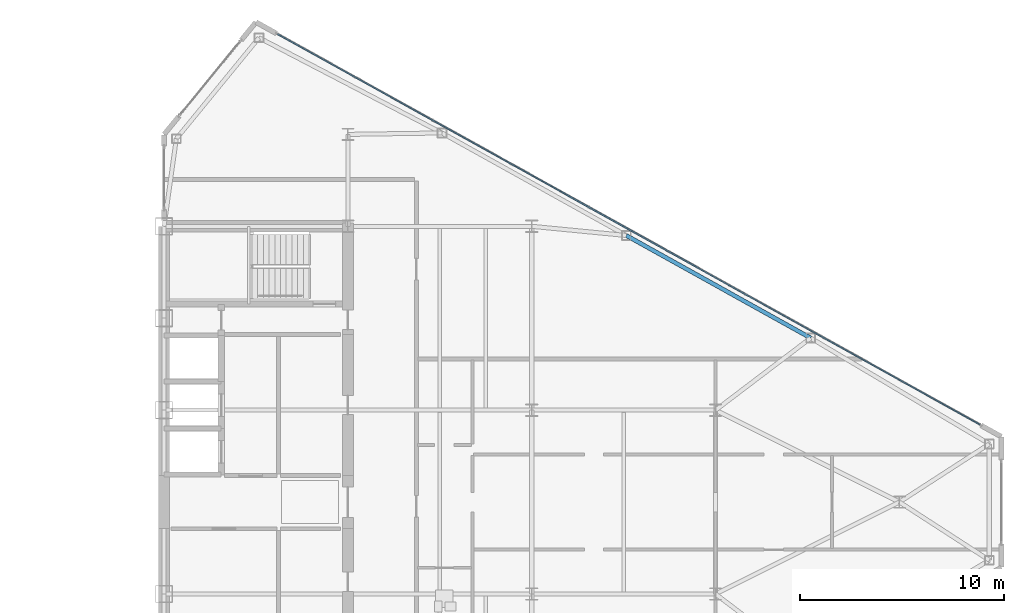
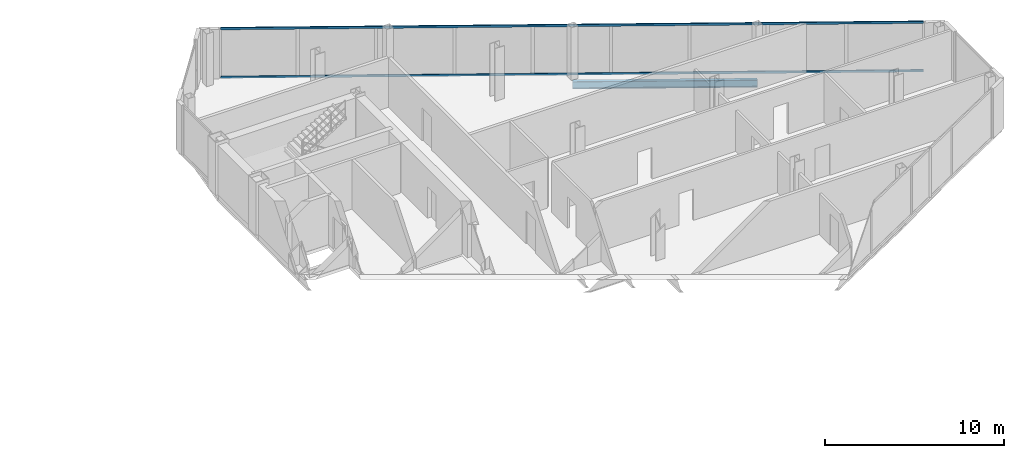
# One storey, part 16 of 26: 2 members, 1 beam, 1 element without a shape of its own.
"""IFC4 building model written with IfcOpenShell, lengths in metres."""

from ifc_helpers import new_model, si_unit, direction, frame, origin, origin_2d, place, context, subcontext, project, spatial, rectangle, i_section, extrude, source, transform, mapped, material, layer, layer_set, material_profile, profile_set, type_object, type_shapes, element, aggregate, save


model = new_model("IFC4")

# Units and contexts
model_context = context("Model", 3, precision=1e-05, world=origin(), true_north=direction((0.0, 1.0)))
body_context = subcontext(model_context, "Body", "Model", "MODEL_VIEW")
ifc_project = project(units=[si_unit("LENGTHUNIT", "METRE"), si_unit("AREAUNIT", "SQUARE_METRE"), si_unit("VOLUMEUNIT", "CUBIC_METRE"), si_unit("PLANEANGLEUNIT", "RADIAN"), si_unit("MASSUNIT", "GRAM", prefix="KILO")], contexts=[model_context])

# Site, building, storey
site_placement = place(None, origin())
site = spatial("IfcSite", under=ifc_project, at=site_placement, CompositionType="ELEMENT")
building_placement = place(site_placement, origin())
building = spatial("IfcBuilding", under=site, at=building_placement, Name="Seokmaru Belvedere", CompositionType="ELEMENT")
storey_placement = place(building_placement, frame((0.0, 0.0, 174.300048828125)))
storey = spatial("IfcBuildingStorey", under=building, at=storey_placement, Name="L46", CompositionType="ELEMENT", Elevation=174.300048828125)

# Beam
ifc_material_1 = material(Name="Steel SM355 (355 MPa)", Category="steel")
ifc_material_profile_1 = material_profile(ifc_material_1, i_section(OverallWidth=0.199951171875, OverallDepth=0.5, WebThickness=0.010009765625, FlangeThickness=0.01611328125, at=origin_2d()), Name="H-500x200x10x16")
ifc_profile_set_1 = profile_set([ifc_material_profile_1], Name="Steel SM355 (355 MPa)")
beam_type = type_object("IfcBeamType", Name="Perimeter Spandrel Beam H-500", PredefinedType="SPANDREL", material=ifc_profile_set_1)
shared_shape_1 = source(origin(), body_context, "Body", "SweptSolid", [
    extrude(i_section(OverallWidth=0.199951171875, OverallDepth=0.5, WebThickness=0.010009765625, FlangeThickness=0.01611328125, at=origin_2d()), origin(), (0.0, 0.0, 1.0), 10.327392578125),
])
type_shapes(beam_type, [shared_shape_1])
beam_placement = place(storey_placement, frame((50.129150390625, 13.051025390625, -0.469970703125), z_axis=(0.873934162361, -0.48604431882, 0.0), x_axis=(0.48604431882, 0.873934162361, 0.0)))
element("IfcBeam", 1, at=beam_placement, inside=storey, type_object=beam_type, Name="L46 E Faceted Flank Spandrel N-3", PredefinedType="SPANDREL", context=body_context, shape_type="MappedRepresentation", body=[
    mapped(shared_shape_1, transform((0.0, 0.0, 0.0), scale=1.0)),
])

# Curtain wall, members
ifc_material_2 = material(Name="Bronze Triple Insulating Glass", Category="glass")
ifc_layer = layer(ifc_material_2, 0.179931640625)
ifc_layer_set = layer_set([ifc_layer], Name="Bronze Triple Insulating Glass")
curtain_wall_type = type_object("IfcCurtainWallType", Name="High-Rise Wind-Corner Curtain Wall System CW-5", PredefinedType="NOTDEFINED", material=ifc_layer_set)
curtain_wall_placement = place(storey_placement, origin())
curtain_wall = element("IfcCurtainWall", 2, at=curtain_wall_placement, inside=storey, type_object=curtain_wall_type, Name="L46 Curtain Wall EF3", PredefinedType="NOTDEFINED")
ifc_material_3 = material(Name="Anodised Bronze Aluminium", Category="aluminium")
ifc_material_profile_2 = material_profile(ifc_material_3, rectangle(XDim=0.06494140625, YDim=0.14990234375, at=origin_2d()), Name="CW-T-65x150")
ifc_profile_set_2 = profile_set([ifc_material_profile_2], Name="Anodised Bronze Aluminium")
member_type = type_object("IfcMemberType", Name="Bronze Unitised Transom 65x150", PredefinedType="USERDEFINED", material=ifc_profile_set_2)
shared_shape_2 = source(origin(), body_context, "Body", "SweptSolid", [
    extrude(rectangle(XDim=0.06494140625, YDim=0.14990234375, at=origin_2d()), origin(), (0.0, 0.0, 1.0), 39.33544921875),
])
type_shapes(member_type, [shared_shape_2])
member_1_placement = place(storey_placement, frame((67.438232421875, 3.79052734375, 0.032470703125), z_axis=(-0.873932045133, 0.486048125693, 0.0), x_axis=(-0.486048125693, -0.873932045133, 0.0)))
member_1 = element("IfcMember", 3, at=member_1_placement, type_object=member_type, Name="CW:L46:EF3 Continuous Transom 1", ObjectType="TRANSOM", PredefinedType="USERDEFINED", context=body_context, shape_type="MappedRepresentation", body=[
    mapped(shared_shape_2, transform((0.0, 0.0, 0.0), scale=1.0)),
])
member_2_placement = place(storey_placement, frame((67.438232421875, 3.79052734375, 3.347412109375), z_axis=(-0.873932045133, 0.486048125693, 0.0), x_axis=(-0.486048125693, -0.873932045133, 0.0)))
member_2 = element("IfcMember", 4, at=member_2_placement, type_object=member_type, Name="CW:L46:EF3 Continuous Transom 2", ObjectType="TRANSOM", PredefinedType="USERDEFINED", context=body_context, shape_type="MappedRepresentation", body=[
    mapped(shared_shape_2, transform((0.0, 0.0, 0.0), scale=1.0)),
])
aggregate(curtain_wall, [member_1, member_2])

save(model, "model.ifc")
